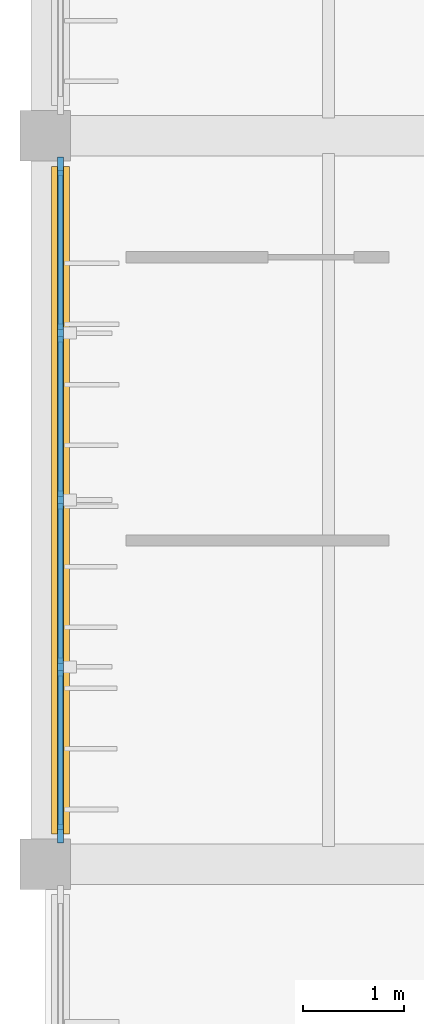
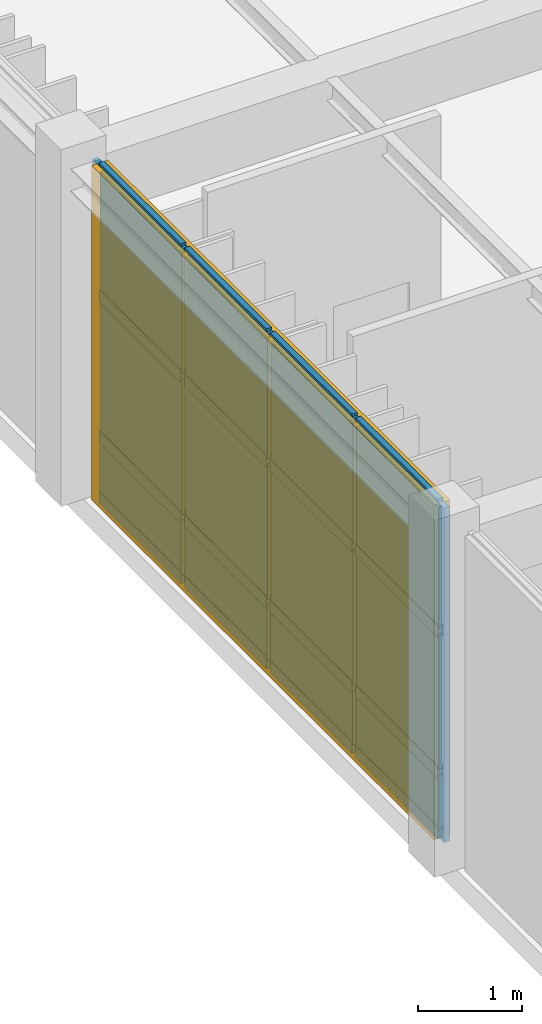
# One storey, part 70 of 122: 21 members, 12 plates, 1 curtain wall.
"""IFC4 building model written with IfcOpenShell, lengths in metres."""

from ifc_helpers import new_model, si_unit, direction, frame, frame_2d, origin, origin_2d, place, context, subcontext, project, spatial, rectangle, extrude, material, layer, layer_set, material_profile, profile_set, type_object, element, aggregate, save


model = new_model("IFC4")

# Units and contexts
model_context = context("Model", 3, precision=1e-05, world=origin(), true_north=direction((0.0, 1.0)))
body_context = subcontext(model_context, "Body", "Model", "MODEL_VIEW")
ifc_project = project(units=[si_unit("LENGTHUNIT", "METRE"), si_unit("AREAUNIT", "SQUARE_METRE"), si_unit("VOLUMEUNIT", "CUBIC_METRE"), si_unit("PLANEANGLEUNIT", "RADIAN"), si_unit("MASSUNIT", "GRAM", prefix="KILO")], contexts=[model_context])

# Member
ifc_material_1 = material(Name="Anodised Bronze Aluminium 6063-T6", Category="aluminium")
ifc_material_profile_1 = material_profile(ifc_material_1, rectangle(XDim=0.06005859375, YDim=0.179931640625, at=origin_2d()), Name="ALU MULLION 60x180")
ifc_profile_set_1 = profile_set([ifc_material_profile_1], Name="Anodised Bronze Aluminium 6063-T6")
member_type_1 = type_object("IfcMemberType", Name="Curtain-Wall Primary Mullion 60x180", PredefinedType="MULLION", material=ifc_profile_set_1)
site_placement = place(None, origin())
building_placement = place(site_placement, origin())
storey_placement = place(building_placement, frame((0.0, 0.0, 4.800048828125)))
member_1_placement = place(storey_placement, frame((2.550048828125, 52.10009765625, 0.0), z_axis=(0.0, 0.0, 1.0), x_axis=(1.0, 0.0, 0.0)))
member_1 = element("IfcMember", 1, at=member_1_placement, type_object=member_type_1, Name="Mullion CWM-01 CW-V6-W1-L01-B2-M01", PredefinedType="MULLION", context=body_context, shape_type="SweptSolid", body=[
    extrude(rectangle(XDim=0.06005859375, YDim=0.179931640625, at=origin_2d()), origin(), (0.0, 0.0, 1.0), 3.93994140625),
])

member_2_placement = place(storey_placement, frame((2.550048828125, 53.75, 0.0), z_axis=(0.0, 0.0, 1.0), x_axis=(1.0, 0.0, 0.0)))
member_2 = element("IfcMember", 2, at=member_2_placement, type_object=member_type_1, Name="Mullion CWM-01 CW-V6-W1-L01-B2-M02", PredefinedType="MULLION", context=body_context, shape_type="SweptSolid", body=[
    extrude(rectangle(XDim=0.06005859375, YDim=0.179931640625, at=origin_2d()), origin(), (0.0, 0.0, 1.0), 3.93994140625),
])

member_3_placement = place(storey_placement, frame((2.550048828125, 55.39990234375, 0.0), z_axis=(0.0, 0.0, 1.0), x_axis=(1.0, 0.0, 0.0)))
member_3 = element("IfcMember", 3, at=member_3_placement, type_object=member_type_1, Name="Mullion CWM-01 CW-V6-W1-L01-B2-M03", PredefinedType="MULLION", context=body_context, shape_type="SweptSolid", body=[
    extrude(rectangle(XDim=0.06005859375, YDim=0.179931640625, at=origin_2d()), origin(), (0.0, 0.0, 1.0), 3.93994140625),
])

member_4_placement = place(storey_placement, frame((2.550048828125, 57.050048828125, 0.0), z_axis=(0.0, 0.0, 1.0), x_axis=(1.0, 0.0, 0.0)))
member_4 = element("IfcMember", 4, at=member_4_placement, type_object=member_type_1, Name="Mullion CWM-01 CW-V6-W1-L01-B2-M04", PredefinedType="MULLION", context=body_context, shape_type="SweptSolid", body=[
    extrude(rectangle(XDim=0.06005859375, YDim=0.179931640625, at=origin_2d()), origin(), (0.0, 0.0, 1.0), 3.93994140625),
])

member_5_placement = place(storey_placement, frame((2.550048828125, 58.699951171875, 0.0), z_axis=(0.0, 0.0, 1.0), x_axis=(1.0, 0.0, 0.0)))
member_5 = element("IfcMember", 5, at=member_5_placement, type_object=member_type_1, Name="Mullion CWM-01 CW-V6-W1-L01-B2-M05", PredefinedType="MULLION", context=body_context, shape_type="SweptSolid", body=[
    extrude(rectangle(XDim=0.06005859375, YDim=0.179931640625, at=origin_2d()), origin(), (0.0, 0.0, 1.0), 3.93994140625),
])

ifc_material_profile_2 = material_profile(ifc_material_1, rectangle(XDim=0.06005859375, YDim=0.139892578125, at=origin_2d()), Name="ALU TRANSOM 60x140")
ifc_profile_set_2 = profile_set([ifc_material_profile_2], Name="Anodised Bronze Aluminium 6063-T6")
member_type_2 = type_object("IfcMemberType", Name="Curtain-Wall Transom 60x140", PredefinedType="USERDEFINED", material=ifc_profile_set_2)
member_6_placement = place(storey_placement, frame((2.550048828125, 52.135009765625, 0.0400390625), z_axis=(0.0, 1.0, 0.0), x_axis=(-1.0, 0.0, 0.0)))
member_6 = element("IfcMember", 6, at=member_6_placement, type_object=member_type_2, Name="Transom CWT-01 CW-V6-W1-L01-B2-T01.1", ObjectType="TRANSOM", PredefinedType="USERDEFINED", context=body_context, shape_type="SweptSolid", body=[
    extrude(rectangle(XDim=0.06005859375, YDim=0.139892578125, at=origin_2d()), origin(), (0.0, 0.0, 1.0), 1.580078125),
])

member_7_placement = place(storey_placement, frame((2.550048828125, 52.135009765625, 0.75), z_axis=(0.0, 1.0, 0.0), x_axis=(-1.0, 0.0, 0.0)))
member_7 = element("IfcMember", 7, at=member_7_placement, type_object=member_type_2, Name="Transom CWT-01 CW-V6-W1-L01-B2-T01.2", ObjectType="TRANSOM", PredefinedType="USERDEFINED", context=body_context, shape_type="SweptSolid", body=[
    extrude(rectangle(XDim=0.06005859375, YDim=0.139892578125, at=origin_2d()), origin(), (0.0, 0.0, 1.0), 1.580078125),
])

member_8_placement = place(storey_placement, frame((2.550048828125, 52.135009765625, 2.40869140625), z_axis=(0.0, 1.0, 0.0), x_axis=(-1.0, 0.0, 0.0)))
member_8 = element("IfcMember", 8, at=member_8_placement, type_object=member_type_2, Name="Transom CWT-01 CW-V6-W1-L01-B2-T01.3", ObjectType="TRANSOM", PredefinedType="USERDEFINED", context=body_context, shape_type="SweptSolid", body=[
    extrude(rectangle(XDim=0.06005859375, YDim=0.139892578125, at=origin_2d()), origin(), (0.0, 0.0, 1.0), 1.580078125),
])

member_9_placement = place(storey_placement, frame((2.550048828125, 52.135009765625, 3.89990234375), z_axis=(0.0, 1.0, 0.0), x_axis=(-1.0, 0.0, 0.0)))
member_9 = element("IfcMember", 9, at=member_9_placement, type_object=member_type_2, Name="Transom CWT-01 CW-V6-W1-L01-B2-T01.4", ObjectType="TRANSOM", PredefinedType="USERDEFINED", context=body_context, shape_type="SweptSolid", body=[
    extrude(rectangle(XDim=0.06005859375, YDim=0.139892578125, at=origin_2d()), origin(), (0.0, 0.0, 1.0), 1.580078125),
])

member_10_placement = place(storey_placement, frame((2.550048828125, 53.784912109375, 0.0400390625), z_axis=(0.0, 1.0, 0.0), x_axis=(-1.0, 0.0, 0.0)))
member_10 = element("IfcMember", 10, at=member_10_placement, type_object=member_type_2, Name="Transom CWT-01 CW-V6-W1-L01-B2-T02.1", ObjectType="TRANSOM", PredefinedType="USERDEFINED", context=body_context, shape_type="SweptSolid", body=[
    extrude(rectangle(XDim=0.06005859375, YDim=0.139892578125, at=origin_2d()), origin(), (0.0, 0.0, 1.0), 1.580078125),
])

member_11_placement = place(storey_placement, frame((2.550048828125, 53.784912109375, 0.75), z_axis=(0.0, 1.0, 0.0), x_axis=(-1.0, 0.0, 0.0)))
member_11 = element("IfcMember", 11, at=member_11_placement, type_object=member_type_2, Name="Transom CWT-01 CW-V6-W1-L01-B2-T02.2", ObjectType="TRANSOM", PredefinedType="USERDEFINED", context=body_context, shape_type="SweptSolid", body=[
    extrude(rectangle(XDim=0.06005859375, YDim=0.139892578125, at=origin_2d()), origin(), (0.0, 0.0, 1.0), 1.580078125),
])

member_12_placement = place(storey_placement, frame((2.550048828125, 53.784912109375, 2.40869140625), z_axis=(0.0, 1.0, 0.0), x_axis=(-1.0, 0.0, 0.0)))
member_12 = element("IfcMember", 12, at=member_12_placement, type_object=member_type_2, Name="Transom CWT-01 CW-V6-W1-L01-B2-T02.3", ObjectType="TRANSOM", PredefinedType="USERDEFINED", context=body_context, shape_type="SweptSolid", body=[
    extrude(rectangle(XDim=0.06005859375, YDim=0.139892578125, at=origin_2d()), origin(), (0.0, 0.0, 1.0), 1.580078125),
])

member_13_placement = place(storey_placement, frame((2.550048828125, 53.784912109375, 3.89990234375), z_axis=(0.0, 1.0, 0.0), x_axis=(-1.0, 0.0, 0.0)))
member_13 = element("IfcMember", 13, at=member_13_placement, type_object=member_type_2, Name="Transom CWT-01 CW-V6-W1-L01-B2-T02.4", ObjectType="TRANSOM", PredefinedType="USERDEFINED", context=body_context, shape_type="SweptSolid", body=[
    extrude(rectangle(XDim=0.06005859375, YDim=0.139892578125, at=origin_2d()), origin(), (0.0, 0.0, 1.0), 1.580078125),
])

member_14_placement = place(storey_placement, frame((2.550048828125, 55.43505859375, 0.0400390625), z_axis=(0.0, 1.0, 0.0), x_axis=(-1.0, 0.0, 0.0)))
member_14 = element("IfcMember", 14, at=member_14_placement, type_object=member_type_2, Name="Transom CWT-01 CW-V6-W1-L01-B2-T03.1", ObjectType="TRANSOM", PredefinedType="USERDEFINED", context=body_context, shape_type="SweptSolid", body=[
    extrude(rectangle(XDim=0.06005859375, YDim=0.139892578125, at=origin_2d()), origin(), (0.0, 0.0, 1.0), 1.579833984375),
])

member_15_placement = place(storey_placement, frame((2.550048828125, 55.43505859375, 0.75), z_axis=(0.0, 1.0, 0.0), x_axis=(-1.0, 0.0, 0.0)))
member_15 = element("IfcMember", 15, at=member_15_placement, type_object=member_type_2, Name="Transom CWT-01 CW-V6-W1-L01-B2-T03.2", ObjectType="TRANSOM", PredefinedType="USERDEFINED", context=body_context, shape_type="SweptSolid", body=[
    extrude(rectangle(XDim=0.06005859375, YDim=0.139892578125, at=origin_2d()), origin(), (0.0, 0.0, 1.0), 1.579833984375),
])

member_16_placement = place(storey_placement, frame((2.550048828125, 55.43505859375, 2.40869140625), z_axis=(0.0, 1.0, 0.0), x_axis=(-1.0, 0.0, 0.0)))
member_16 = element("IfcMember", 16, at=member_16_placement, type_object=member_type_2, Name="Transom CWT-01 CW-V6-W1-L01-B2-T03.3", ObjectType="TRANSOM", PredefinedType="USERDEFINED", context=body_context, shape_type="SweptSolid", body=[
    extrude(rectangle(XDim=0.06005859375, YDim=0.139892578125, at=origin_2d()), origin(), (0.0, 0.0, 1.0), 1.579833984375),
])

member_17_placement = place(storey_placement, frame((2.550048828125, 55.43505859375, 3.89990234375), z_axis=(0.0, 1.0, 0.0), x_axis=(-1.0, 0.0, 0.0)))
member_17 = element("IfcMember", 17, at=member_17_placement, type_object=member_type_2, Name="Transom CWT-01 CW-V6-W1-L01-B2-T03.4", ObjectType="TRANSOM", PredefinedType="USERDEFINED", context=body_context, shape_type="SweptSolid", body=[
    extrude(rectangle(XDim=0.06005859375, YDim=0.139892578125, at=origin_2d()), origin(), (0.0, 0.0, 1.0), 1.579833984375),
])

member_18_placement = place(storey_placement, frame((2.550048828125, 57.0849609375, 0.0400390625), z_axis=(0.0, 1.0, 0.0), x_axis=(-1.0, 0.0, 0.0)))
member_18 = element("IfcMember", 18, at=member_18_placement, type_object=member_type_2, Name="Transom CWT-01 CW-V6-W1-L01-B2-T04.1", ObjectType="TRANSOM", PredefinedType="USERDEFINED", context=body_context, shape_type="SweptSolid", body=[
    extrude(rectangle(XDim=0.06005859375, YDim=0.139892578125, at=origin_2d()), origin(), (0.0, 0.0, 1.0), 1.580078125),
])

member_19_placement = place(storey_placement, frame((2.550048828125, 57.0849609375, 0.75), z_axis=(0.0, 1.0, 0.0), x_axis=(-1.0, 0.0, 0.0)))
member_19 = element("IfcMember", 19, at=member_19_placement, type_object=member_type_2, Name="Transom CWT-01 CW-V6-W1-L01-B2-T04.2", ObjectType="TRANSOM", PredefinedType="USERDEFINED", context=body_context, shape_type="SweptSolid", body=[
    extrude(rectangle(XDim=0.06005859375, YDim=0.139892578125, at=origin_2d()), origin(), (0.0, 0.0, 1.0), 1.580078125),
])

member_20_placement = place(storey_placement, frame((2.550048828125, 57.0849609375, 2.40869140625), z_axis=(0.0, 1.0, 0.0), x_axis=(-1.0, 0.0, 0.0)))
member_20 = element("IfcMember", 20, at=member_20_placement, type_object=member_type_2, Name="Transom CWT-01 CW-V6-W1-L01-B2-T04.3", ObjectType="TRANSOM", PredefinedType="USERDEFINED", context=body_context, shape_type="SweptSolid", body=[
    extrude(rectangle(XDim=0.06005859375, YDim=0.139892578125, at=origin_2d()), origin(), (0.0, 0.0, 1.0), 1.580078125),
])

member_21_placement = place(storey_placement, frame((2.550048828125, 57.0849609375, 3.89990234375), z_axis=(0.0, 1.0, 0.0), x_axis=(-1.0, 0.0, 0.0)))
member_21 = element("IfcMember", 21, at=member_21_placement, type_object=member_type_2, Name="Transom CWT-01 CW-V6-W1-L01-B2-T04.4", ObjectType="TRANSOM", PredefinedType="USERDEFINED", context=body_context, shape_type="SweptSolid", body=[
    extrude(rectangle(XDim=0.06005859375, YDim=0.139892578125, at=origin_2d()), origin(), (0.0, 0.0, 1.0), 1.580078125),
])

# Plate
ifc_material_2 = material(Name="Insulated Bronze Aluminium Spandrel Panel", Category="aluminium")
ifc_layer_1 = layer(ifc_material_2, 0.050048828125, Name="Insulated Bronze Aluminium Spandrel Panel")
ifc_layer_set_1 = layer_set([ifc_layer_1], Name="Insulated Bronze Aluminium Spandrel Panel")
plate_type_1 = type_object("IfcPlateType", Name="Insulated Anodised Aluminium Spandrel Cassette 50", PredefinedType="CURTAIN_PANEL", material=ifc_layer_set_1)
plate_1_placement = place(storey_placement, frame((2.550048828125, 52.925048828125, 0.070068359375), z_axis=(0.0, 0.0, 1.0), x_axis=(0.0, 1.0, 0.0)))
plate_1 = element("IfcPlate", 22, at=plate_1_placement, type_object=plate_type_1, Name="Curtain Panel CWP-03 CW-V6-W1-L01-B2-P01.1", PredefinedType="CURTAIN_PANEL", context=body_context, shape_type="SweptSolid", body=[
    extrude(rectangle(XDim=1.580078125, YDim=0.050048828125, at=origin_2d()), origin(), (0.0, 0.0, 1.0), 0.64990234375),
])

plate_2_placement = place(storey_placement, frame((2.550048828125, 54.574951171875, 0.070068359375), z_axis=(0.0, 0.0, 1.0), x_axis=(0.0, 1.0, 0.0)))
plate_2 = element("IfcPlate", 23, at=plate_2_placement, type_object=plate_type_1, Name="Curtain Panel CWP-03 CW-V6-W1-L01-B2-P02.1", PredefinedType="CURTAIN_PANEL", context=body_context, shape_type="SweptSolid", body=[
    extrude(rectangle(XDim=1.580078125, YDim=0.050048828125, at=origin_2d()), origin(), (0.0, 0.0, 1.0), 0.64990234375),
])

plate_3_placement = place(storey_placement, frame((2.550048828125, 56.22509765625, 0.070068359375), z_axis=(0.0, 0.0, 1.0), x_axis=(0.0, 1.0, 0.0)))
plate_3 = element("IfcPlate", 24, at=plate_3_placement, type_object=plate_type_1, Name="Curtain Panel CWP-03 CW-V6-W1-L01-B2-P03.1", PredefinedType="CURTAIN_PANEL", context=body_context, shape_type="SweptSolid", body=[
    extrude(rectangle(XDim=1.580078125, YDim=0.050048828125, at=origin_2d()), origin(), (0.0, 0.0, 1.0), 0.64990234375),
])

plate_4_placement = place(storey_placement, frame((2.550048828125, 57.875, 0.070068359375), z_axis=(0.0, 0.0, 1.0), x_axis=(0.0, 1.0, 0.0)))
plate_4 = element("IfcPlate", 25, at=plate_4_placement, type_object=plate_type_1, Name="Curtain Panel CWP-03 CW-V6-W1-L01-B2-P04.1", PredefinedType="CURTAIN_PANEL", context=body_context, shape_type="SweptSolid", body=[
    extrude(rectangle(XDim=1.580078125, YDim=0.050048828125, at=origin_2d()), origin(), (0.0, 0.0, 1.0), 0.64990234375),
])

ifc_material_3 = material(Name="Solar-Control Tempered Double Glazing", Category="glass")
ifc_layer_2 = layer(ifc_material_3, 0.0380859375, Name="Solar-Control Tempered Double Glazing")
ifc_layer_set_2 = layer_set([ifc_layer_2], Name="Solar-Control Tempered Double Glazing")
plate_type_2 = type_object("IfcPlateType", Name="Solar-Control Vision Glazing Unit 38", PredefinedType="CURTAIN_PANEL", material=ifc_layer_set_2)
plate_5_placement = place(storey_placement, frame((2.550048828125, 52.925048828125, 0.77978515625), z_axis=(0.0, 0.0, 1.0), x_axis=(0.0, 1.0, 0.0)))
plate_5 = element("IfcPlate", 26, at=plate_5_placement, type_object=plate_type_2, Name="Curtain Panel CWP-02 CW-V6-W1-L01-B2-P01.2", PredefinedType="CURTAIN_PANEL", context=body_context, shape_type="SweptSolid", body=[
    extrude(rectangle(XDim=1.580078125, YDim=0.0380859375, at=origin_2d()), origin(), (0.0, 0.0, 1.0), 1.598876953125),
])

plate_6_placement = place(storey_placement, frame((2.550048828125, 52.925048828125, 2.438720703125), z_axis=(0.0, 0.0, 1.0), x_axis=(0.0, 1.0, 0.0)))
plate_6 = element("IfcPlate", 27, at=plate_6_placement, type_object=plate_type_2, Name="Curtain Panel CWP-02 CW-V6-W1-L01-B2-P01.3", PredefinedType="CURTAIN_PANEL", context=body_context, shape_type="SweptSolid", body=[
    extrude(rectangle(XDim=1.580078125, YDim=0.0380859375, at=origin_2d()), origin(), (0.0, 0.0, 1.0), 1.43115234375),
])

plate_7_placement = place(storey_placement, frame((2.550048828125, 54.574951171875, 0.77978515625), z_axis=(0.0, 0.0, 1.0), x_axis=(0.0, 1.0, 0.0)))
plate_7 = element("IfcPlate", 28, at=plate_7_placement, type_object=plate_type_2, Name="Curtain Panel CWP-02 CW-V6-W1-L01-B2-P02.2", PredefinedType="CURTAIN_PANEL", context=body_context, shape_type="SweptSolid", body=[
    extrude(rectangle(XDim=1.580078125, YDim=0.0380859375, at=origin_2d()), origin(), (0.0, 0.0, 1.0), 1.598876953125),
])

plate_8_placement = place(storey_placement, frame((2.550048828125, 54.574951171875, 2.438720703125), z_axis=(0.0, 0.0, 1.0), x_axis=(0.0, 1.0, 0.0)))
plate_8 = element("IfcPlate", 29, at=plate_8_placement, type_object=plate_type_2, Name="Curtain Panel CWP-02 CW-V6-W1-L01-B2-P02.3", PredefinedType="CURTAIN_PANEL", context=body_context, shape_type="SweptSolid", body=[
    extrude(rectangle(XDim=1.580078125, YDim=0.0380859375, at=origin_2d()), origin(), (0.0, 0.0, 1.0), 1.43115234375),
])

plate_9_placement = place(storey_placement, frame((2.550048828125, 56.22509765625, 0.77978515625), z_axis=(0.0, 0.0, 1.0), x_axis=(0.0, 1.0, 0.0)))
plate_9 = element("IfcPlate", 30, at=plate_9_placement, type_object=plate_type_2, Name="Curtain Panel CWP-02 CW-V6-W1-L01-B2-P03.2", PredefinedType="CURTAIN_PANEL", context=body_context, shape_type="SweptSolid", body=[
    extrude(rectangle(XDim=1.580078125, YDim=0.0380859375, at=origin_2d()), origin(), (0.0, 0.0, 1.0), 1.598876953125),
])

plate_10_placement = place(storey_placement, frame((2.550048828125, 56.22509765625, 2.438720703125), z_axis=(0.0, 0.0, 1.0), x_axis=(0.0, 1.0, 0.0)))
plate_10 = element("IfcPlate", 31, at=plate_10_placement, type_object=plate_type_2, Name="Curtain Panel CWP-02 CW-V6-W1-L01-B2-P03.3", PredefinedType="CURTAIN_PANEL", context=body_context, shape_type="SweptSolid", body=[
    extrude(rectangle(XDim=1.580078125, YDim=0.0380859375, at=origin_2d()), origin(), (0.0, 0.0, 1.0), 1.43115234375),
])

plate_11_placement = place(storey_placement, frame((2.550048828125, 57.875, 0.77978515625), z_axis=(0.0, 0.0, 1.0), x_axis=(0.0, 1.0, 0.0)))
plate_11 = element("IfcPlate", 32, at=plate_11_placement, type_object=plate_type_2, Name="Curtain Panel CWP-02 CW-V6-W1-L01-B2-P04.2", PredefinedType="CURTAIN_PANEL", context=body_context, shape_type="SweptSolid", body=[
    extrude(rectangle(XDim=1.580078125, YDim=0.0380859375, at=origin_2d()), origin(), (0.0, 0.0, 1.0), 1.598876953125),
])

plate_12_placement = place(storey_placement, frame((2.550048828125, 57.875, 2.438720703125), z_axis=(0.0, 0.0, 1.0), x_axis=(0.0, 1.0, 0.0)))
plate_12 = element("IfcPlate", 33, at=plate_12_placement, type_object=plate_type_2, Name="Curtain Panel CWP-02 CW-V6-W1-L01-B2-P04.3", PredefinedType="CURTAIN_PANEL", context=body_context, shape_type="SweptSolid", body=[
    extrude(rectangle(XDim=1.580078125, YDim=0.0380859375, at=origin_2d()), origin(), (0.0, 0.0, 1.0), 1.43115234375),
])

# Site, building, storey
site = spatial("IfcSite", under=ifc_project, at=site_placement, CompositionType="ELEMENT")
building = spatial("IfcBuilding", under=site, at=building_placement, Name="Tazoul Stagehouse", CompositionType="ELEMENT")
storey = spatial("IfcBuildingStorey", under=building, at=storey_placement, Name="L01", CompositionType="ELEMENT", Elevation=4.800048828125)

# Curtain wall
curtain_wall_type = type_object("IfcCurtainWallType", Name="Foyer Clear Solar-Control Curtain Wall", PredefinedType="NOTDEFINED", material=ifc_material_1)
curtain_wall_placement = place(storey_placement, frame((2.550048828125, 52.10009765625, 0.0), z_axis=(0.0, 0.0, 1.0), x_axis=(0.0, 1.0, 0.0)))
curtain_wall = element("IfcCurtainWall", 34, at=curtain_wall_placement, inside=storey, type_object=curtain_wall_type, Name="L01 Curtain Wall CW-02 (CW-V6-W1-L01-B2)", PredefinedType="NOTDEFINED", context=body_context, shape_type="SweptSolid", body=[
    extrude(rectangle(XDim=6.599853515625, YDim=0.179931640625, at=frame_2d((3.2998046875, 0.0))), origin(), (0.0, 0.0, 1.0), 3.93994140625),
])

aggregate(curtain_wall, [member_1, member_2, member_3, member_4, member_5, member_6, member_7, member_8, member_9, plate_1, plate_5, plate_6, member_10, member_11, member_12, member_13, plate_2, plate_7, plate_8, member_14, member_15, member_16, member_17, plate_3, plate_9, plate_10, member_18, member_19, member_20, member_21, plate_4, plate_11, plate_12])

save(model, "model.ifc")
